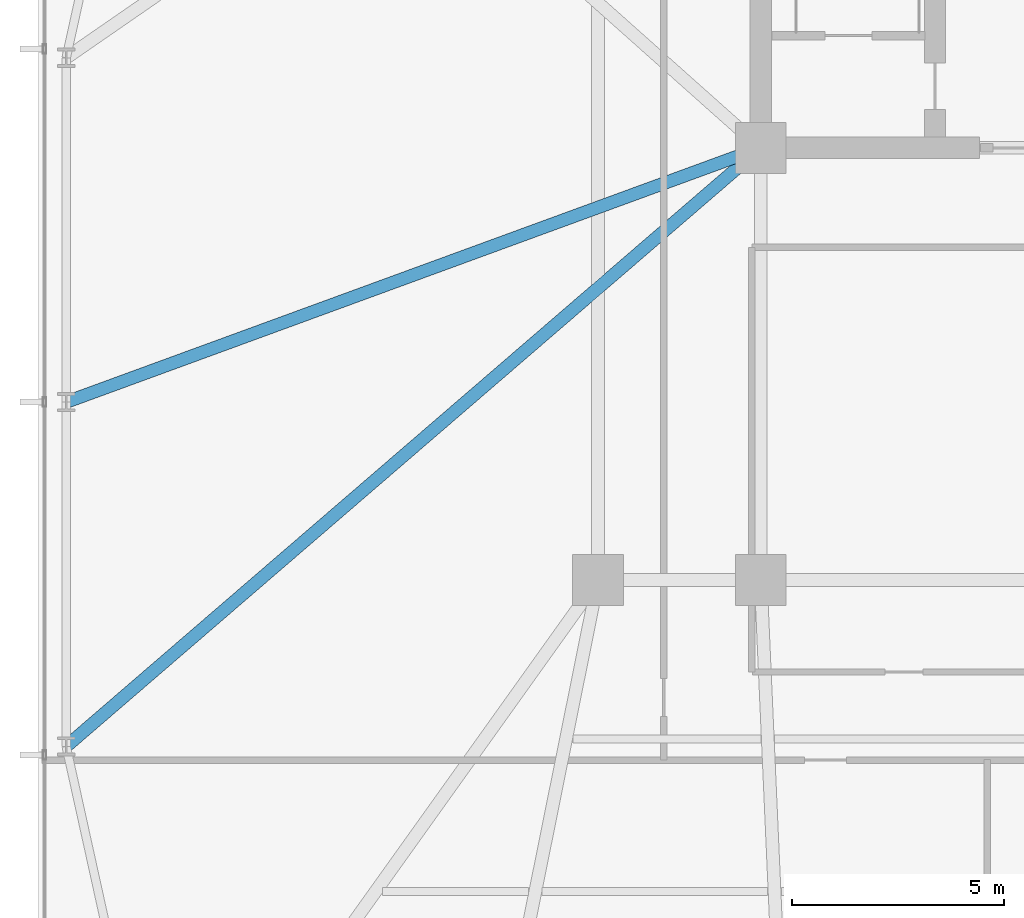
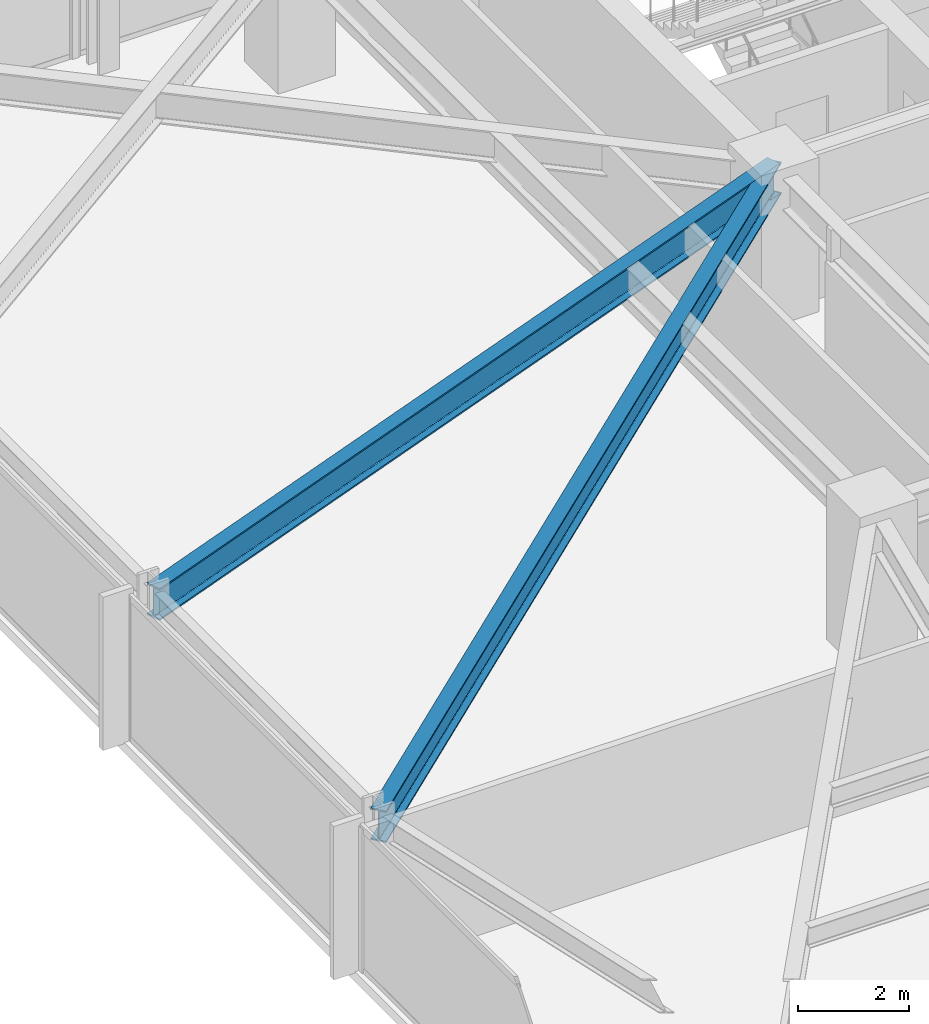
# One storey, part 8 of 32: 2 beams.
"""IFC4 building model written with IfcOpenShell, lengths in metres."""

from ifc_helpers import new_model, si_unit, direction, frame, origin, origin_2d, place, context, subcontext, project, spatial, i_section, extrude, material, material_profile, profile_set, type_object, element, save


model = new_model("IFC4")

# Units and contexts
model_context = context("Model", 3, precision=1e-05, world=origin(), true_north=direction((0.0, 1.0)))
body_context = subcontext(model_context, "Body", "Model", "MODEL_VIEW")
ifc_project = project(units=[si_unit("LENGTHUNIT", "METRE"), si_unit("AREAUNIT", "SQUARE_METRE"), si_unit("VOLUMEUNIT", "CUBIC_METRE"), si_unit("PLANEANGLEUNIT", "RADIAN"), si_unit("MASSUNIT", "GRAM", prefix="KILO")], contexts=[model_context])

# Site, building, storey
site_placement = place(None, origin())
site = spatial("IfcSite", under=ifc_project, at=site_placement, CompositionType="ELEMENT")
building_placement = place(site_placement, origin())
building = spatial("IfcBuilding", under=site, at=building_placement, Name="Yelkora Congress Tower", CompositionType="ELEMENT")
storey_placement = place(building_placement, frame((0.0, 0.0, 44.0)))
storey = spatial("IfcBuildingStorey", under=building, at=storey_placement, Name="L10", CompositionType="ELEMENT", Elevation=44.0)

# Beams
ifc_material = material(Name="Steel S355J2", Category="steel")
ifc_material_profile = material_profile(ifc_material, i_section(OverallWidth=0.300048828125, OverallDepth=0.699951171875, WebThickness=0.01708984375, FlangeThickness=0.031982421875, FilletRadius=0.027099609375, at=origin_2d()), Name="HEB 700")
ifc_profile_set = profile_set([ifc_material_profile], Name="Steel S355J2")
beam_type = type_object("IfcBeamType", Name="BM-GIRD-HEB700", PredefinedType="BEAM", material=ifc_profile_set)
beam_1_placement = place(storey_placement, frame((6.64990234375, 21.27490234375, 2.830078125), z_axis=(0.757511165967, 0.652822206604, 0.0), x_axis=(-0.652822206604, 0.757511165967, 0.0)))
element("IfcBeam", 1, at=beam_1_placement, inside=storey, type_object=beam_type, Name="L10 Primary Frame Girder W01", PredefinedType="BEAM", context=body_context, shape_type="SweptSolid", body=[
    extrude(i_section(OverallWidth=0.300048828125, OverallDepth=0.699951171875, WebThickness=0.01708984375, FlangeThickness=0.031982421875, FilletRadius=0.027099609375, at=origin_2d()), origin(), (0.0, 0.0, 1.0), 21.63671875),
])
beam_2_placement = place(storey_placement, frame((6.64990234375, 29.39990234375, 2.830078125), z_axis=(0.939056124561, 0.343763865064, 0.0), x_axis=(-0.343763865064, 0.939056124561, 0.0)))
element("IfcBeam", 2, at=beam_2_placement, inside=storey, type_object=beam_type, Name="L10 Primary Frame Girder W02", PredefinedType="BEAM", context=body_context, shape_type="SweptSolid", body=[
    extrude(i_section(OverallWidth=0.300048828125, OverallDepth=0.699951171875, WebThickness=0.01708984375, FlangeThickness=0.031982421875, FilletRadius=0.027099609375, at=origin_2d()), origin(), (0.0, 0.0, 1.0), 17.453857421875),
])

save(model, "model.ifc")
